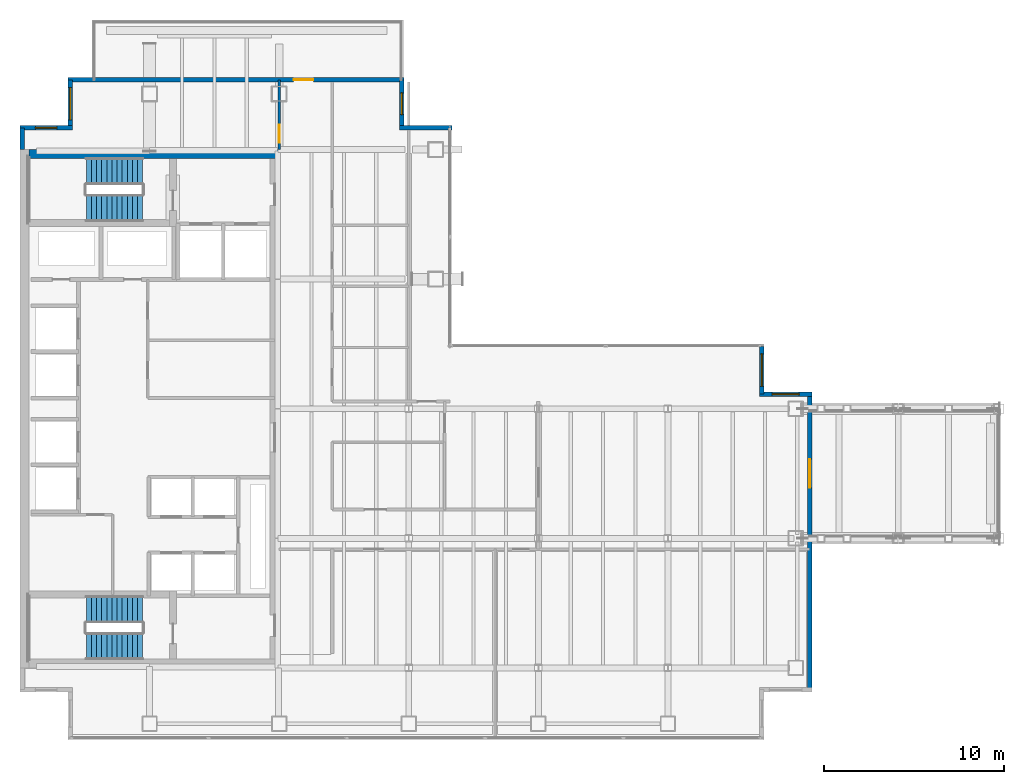
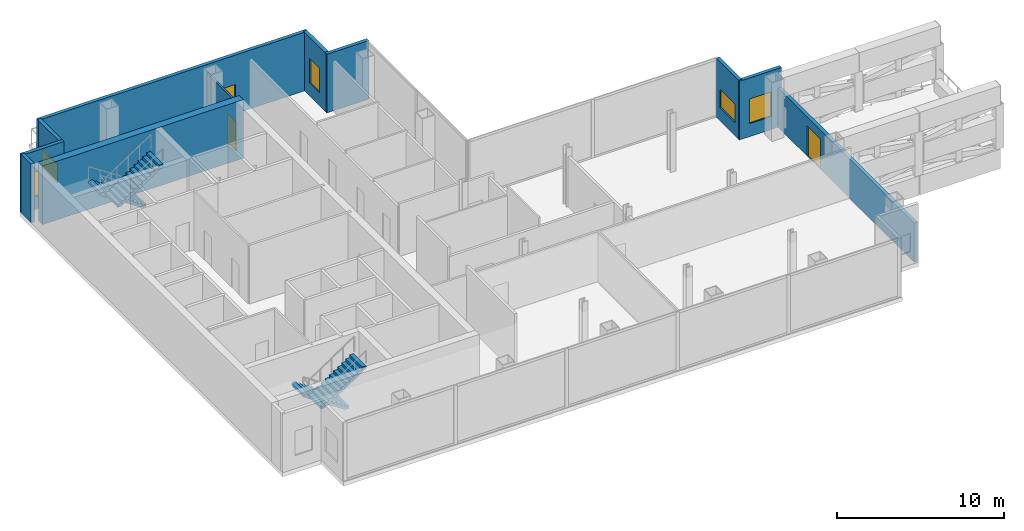
# One storey, part 18 of 20: 11 walls, 5 windows, 4 stair flights, 3 doors, 8 openings, 2 elements without a shape of their own.
"""IFC4 building model written with IfcOpenShell, lengths in metres."""

from ifc_helpers import new_model, si_unit, direction, frame, frame_2d, origin, place, context, subcontext, project, spatial, polyline, rectangle, outline, extrude, material, layer, layer_set, type_object, element, fill, aggregate, save


model = new_model("IFC4")

# Units and contexts
model_context = context("Model", 3, precision=1e-05, world=origin(), true_north=direction((0.0, 1.0)))
body_context = subcontext(model_context, "Body", "Model", "MODEL_VIEW")
ifc_project = project(units=[si_unit("LENGTHUNIT", "METRE"), si_unit("AREAUNIT", "SQUARE_METRE"), si_unit("VOLUMEUNIT", "CUBIC_METRE"), si_unit("PLANEANGLEUNIT", "RADIAN"), si_unit("MASSUNIT", "GRAM", prefix="KILO")], contexts=[model_context])

# Site, building, storey
site_placement = place(None, origin())
site = spatial("IfcSite", under=ifc_project, at=site_placement, CompositionType="ELEMENT")
building_placement = place(site_placement, origin())
building = spatial("IfcBuilding", under=site, at=building_placement, Name="Cobrela Telecom Tower", CompositionType="ELEMENT")
storey_placement = place(building_placement, frame((0.0, 0.0, 168.699951171875)))
storey = spatial("IfcBuildingStorey", under=building, at=storey_placement, Name="L42", CompositionType="ELEMENT", Elevation=168.699951171875)

# Walls
ifc_material_1 = material(Name="Concrete C40/50", Category="concrete")
ifc_layer_1 = layer(ifc_material_1, 0.5)
ifc_layer_set_1 = layer_set([ifc_layer_1], Name="Concrete C40/50")
wall_type_1 = type_object("IfcWallType", Name="WALL-CORE-C40-500", PredefinedType="SHEAR", material=ifc_layer_set_1)
wall_1_placement = place(storey_placement, frame((0.5, 35.75, 0.0), z_axis=(0.0, 0.0, 1.0), x_axis=(1.0, 0.0, 0.0)))
element("IfcWall", 1, at=wall_1_placement, inside=storey, type_object=wall_type_1, Name="L42 North Core Shear Wall", PredefinedType="SHEAR", context=body_context, shape_type="SweptSolid", body=[
    extrude(rectangle(XDim=13.89990234375, YDim=0.5, at=frame_2d((6.949951171875, 0.0))), origin(), (0.0, 0.0, 1.0), 4.2900390625),
])
ifc_layer_2 = layer(ifc_material_1, 0.239990234375)
ifc_layer_set_2 = layer_set([ifc_layer_2], Name="Concrete C40/50")
wall_type_2 = type_object("IfcWallType", Name="WALL-EXT-300", PredefinedType="STANDARD", material=ifc_layer_set_2)
wall_2_placement = place(storey_placement, frame((0.1201171875, 36.0, 0.0), z_axis=(0.0, 0.0, 1.0), x_axis=(0.0, 1.0, 0.0)))
element("IfcWall", 2, at=wall_2_placement, inside=storey, type_object=wall_type_2, Name="L42 Insulated Facade Wall 04", PredefinedType="STANDARD", context=body_context, shape_type="SweptSolid", body=[
    extrude(rectangle(XDim=1.2099609375, YDim=0.239990234375, at=frame_2d((0.60498046875, 0.0))), origin(), (0.0, 0.0, 1.0), 4.2900390625),
])

# Wall, opening, window
wall_3_placement = place(storey_placement, frame((0.0, 37.2099609375, 0.0), z_axis=(0.0, 0.0, 1.0), x_axis=(1.0, 0.0, 0.0)))
wall_3 = element("IfcWall", 3, at=wall_3_placement, inside=storey, type_object=wall_type_2, Name="L42 Insulated Facade Wall 05", PredefinedType="STANDARD", context=body_context, shape_type="SweptSolid", body=[
    extrude(rectangle(XDim=2.909912109375, YDim=0.239990234375, at=frame_2d((1.455078125, 0.0))), origin(), (0.0, 0.0, 1.0), 4.2900390625),
])
opening_1_placement = place(wall_3_placement, frame((0.85498046875, 0.0, 0.949951171875)))
opening_1 = element("IfcOpeningElement", 4, at=opening_1_placement, cuts=wall_3, Name="Opening WN-19", PredefinedType="OPENING", context=body_context, shape_type="SweptSolid", body=[
    extrude(rectangle(XDim=1.199951171875, YDim=1.800048828125, at=frame_2d((0.60009765625, 0.89990234375))), frame((0.0, 0.1318359375, 0.0), z_axis=(0.0, -1.0, 0.0), x_axis=(1.0, 0.0, 0.0)), (0.0, 0.0, 1.0), 0.263916015625),
])
ifc_material_2 = material(Name="Solar-Control Bronze Low-E Glass", Category="glass")
window_type_1 = type_object("IfcWindowType", Name="WIN-MOD-1200", PartitioningType="SINGLE_PANEL", PredefinedType="WINDOW", material=ifc_material_2)
window_1_placement = place(opening_1_placement, origin())
window_1 = element("IfcWindow", 5, at=window_1_placement, inside=storey, type_object=window_type_1, Name="L42 Corner Notch Facade Window 202", OverallHeight=1.800048828125, OverallWidth=1.199951171875, PartitioningType="SINGLE_PANEL", PredefinedType="WINDOW", context=body_context, shape_type="SweptSolid", body=[
    extrude(rectangle(XDim=1.199951171875, YDim=1.800048828125, at=frame_2d((0.60009765625, 0.89990234375))), frame((0.0, 0.030029296875, 0.0), z_axis=(0.0, -1.0, 0.0), x_axis=(1.0, 0.0, 0.0)), (0.0, 0.0, 1.0), 0.06005859375),
])
fill(opening_1, window_1)

wall_4_placement = place(storey_placement, frame((2.7900390625, 37.2099609375, 0.0), z_axis=(0.0, 0.0, 1.0), x_axis=(0.0, 1.0, 0.0)))
wall_4 = element("IfcWall", 6, at=wall_4_placement, inside=storey, type_object=wall_type_2, Name="L42 Insulated Facade Wall 06", PredefinedType="STANDARD", context=body_context, shape_type="SweptSolid", body=[
    extrude(rectangle(XDim=2.669921875, YDim=0.239990234375, at=frame_2d((1.3349609375, 0.0))), origin(), (0.0, 0.0, 1.0), 4.2900390625),
])
opening_2_placement = place(wall_4_placement, frame((0.43505859375, 0.0, 0.949951171875)))
opening_2 = element("IfcOpeningElement", 7, at=opening_2_placement, cuts=wall_4, Name="Opening WN-27", PredefinedType="OPENING", context=body_context, shape_type="SweptSolid", body=[
    extrude(rectangle(XDim=1.800048828125, YDim=1.35009765625, at=frame_2d((0.89990234375, 0.675048828125))), frame((0.0, 0.1318359375, 0.0), z_axis=(0.0, -1.0, 0.0), x_axis=(1.0, 0.0, 0.0)), (0.0, 0.0, 1.0), 0.263916015625),
])
window_type_2 = type_object("IfcWindowType", Name="WIN-CLER-1800", PartitioningType="SINGLE_PANEL", PredefinedType="WINDOW", material=ifc_material_2)
window_2_placement = place(opening_2_placement, origin())
window_2 = element("IfcWindow", 8, at=window_2_placement, inside=storey, type_object=window_type_2, Name="L42 Corner Notch Facade Window 203", OverallHeight=1.35009765625, OverallWidth=1.800048828125, PartitioningType="SINGLE_PANEL", PredefinedType="WINDOW", context=body_context, shape_type="SweptSolid", body=[
    extrude(rectangle(XDim=1.800048828125, YDim=1.35009765625, at=frame_2d((0.89990234375, 0.675048828125))), frame((0.0, 0.030029296875, 0.0), z_axis=(0.0, -1.0, 0.0), x_axis=(1.0, 0.0, 0.0)), (0.0, 0.0, 1.0), 0.06005859375),
])
fill(opening_2, window_2)

# Wall, opening, door
wall_5_placement = place(storey_placement, frame((2.669921875, 39.8798828125, 0.0), z_axis=(0.0, 0.0, 1.0), x_axis=(1.0, 0.0, 0.0)))
wall_5 = element("IfcWall", 9, at=wall_5_placement, inside=storey, type_object=wall_type_2, Name="L42 Insulated Facade Wall 07", PredefinedType="STANDARD", context=body_context, shape_type="SweptSolid", body=[
    extrude(rectangle(XDim=18.66015625, YDim=0.239990234375, at=frame_2d((9.330078125, 0.0))), origin(), (0.0, 0.0, 1.0), 4.2900390625),
])
opening_3_placement = place(wall_5_placement, frame((12.530029296875, 0.0, 0.0)))
opening_3 = element("IfcOpeningElement", 10, at=opening_3_placement, cuts=wall_5, Name="Opening ED-3", PredefinedType="OPENING", context=body_context, shape_type="SweptSolid", body=[
    extrude(rectangle(XDim=1.10009765625, YDim=2.14990234375, at=frame_2d((0.550048828125, 1.074951171875))), frame((0.0, 0.1318359375, 0.0), z_axis=(0.0, -1.0, 0.0), x_axis=(1.0, 0.0, 0.0)), (0.0, 0.0, 1.0), 0.263916015625),
])
ifc_material_3 = material(Name="Anodized Bronze Aluminium 6063-T6", Category="aluminium")
door_type_1 = type_object("IfcDoorType", Name="DOOR-EXT-1100", OperationType="SINGLE_SWING_LEFT", PredefinedType="DOOR", material=ifc_material_3)
door_1_placement = place(opening_3_placement, origin())
door_1 = element("IfcDoor", 11, at=door_1_placement, inside=storey, type_object=door_type_1, Name="L42 Door ED-3", OperationType="SINGLE_SWING_RIGHT", OverallHeight=2.14990234375, OverallWidth=1.10009765625, PredefinedType="DOOR", context=body_context, shape_type="SweptSolid", body=[
    extrude(rectangle(XDim=1.10009765625, YDim=2.14990234375, at=frame_2d((0.550048828125, 1.074951171875))), frame((0.0, 0.02490234375, 0.0), z_axis=(0.0, -1.0, 0.0), x_axis=(1.0, 0.0, 0.0)), (0.0, 0.0, 1.0), 0.050048828125),
])
fill(opening_3, door_1)

# Wall, opening, window
wall_6_placement = place(storey_placement, frame((21.2099609375, 39.8798828125, 0.0), z_axis=(0.0, 0.0, 1.0), x_axis=(0.0, -1.0, 0.0)))
wall_6 = element("IfcWall", 12, at=wall_6_placement, inside=storey, type_object=wall_type_2, Name="L42 Insulated Facade Wall 08", PredefinedType="STANDARD", context=body_context, shape_type="SweptSolid", body=[
    extrude(rectangle(XDim=2.669921875, YDim=0.239990234375, at=frame_2d((1.3349609375, 0.0))), origin(), (0.0, 0.0, 1.0), 4.2900390625),
])
opening_4_placement = place(wall_6_placement, frame((0.735107421875, 0.0, 0.949951171875)))
opening_4 = element("IfcOpeningElement", 13, at=opening_4_placement, cuts=wall_6, Name="Opening WN-19", PredefinedType="OPENING", context=body_context, shape_type="SweptSolid", body=[
    extrude(rectangle(XDim=1.199951171875, YDim=1.800048828125, at=frame_2d((0.60009765625, 0.89990234375))), frame((0.0, 0.1318359375, 0.0), z_axis=(0.0, -1.0, 0.0), x_axis=(1.0, 0.0, 0.0)), (0.0, 0.0, 1.0), 0.263916015625),
])
window_3_placement = place(opening_4_placement, origin())
window_3 = element("IfcWindow", 14, at=window_3_placement, inside=storey, type_object=window_type_1, Name="L42 Corner Notch Facade Window 204", OverallHeight=1.800048828125, OverallWidth=1.199951171875, PartitioningType="SINGLE_PANEL", PredefinedType="WINDOW", context=body_context, shape_type="SweptSolid", body=[
    extrude(rectangle(XDim=1.199951171875, YDim=1.800048828125, at=frame_2d((0.60009765625, 0.89990234375))), frame((0.0, 0.030029296875, 0.0), z_axis=(0.0, -1.0, 0.0), x_axis=(1.0, 0.0, 0.0)), (0.0, 0.0, 1.0), 0.06005859375),
])
fill(opening_4, window_3)

# Wall
wall_7_placement = place(storey_placement, frame((21.090087890625, 37.2099609375, 0.0), z_axis=(0.0, 0.0, 1.0), x_axis=(1.0, 0.0, 0.0)))
element("IfcWall", 15, at=wall_7_placement, inside=storey, type_object=wall_type_2, Name="L42 Insulated Facade Wall 09", PredefinedType="STANDARD", context=body_context, shape_type="SweptSolid", body=[
    extrude(rectangle(XDim=2.909912109375, YDim=0.239990234375, at=frame_2d((1.455078125, 0.0))), origin(), (0.0, 0.0, 1.0), 4.2900390625),
])

# Wall, opening, window
wall_8_placement = place(storey_placement, frame((41.2099609375, 25.080078125, 0.0), z_axis=(0.0, 0.0, 1.0), x_axis=(0.0, -1.0, 0.0)))
wall_8 = element("IfcWall", 16, at=wall_8_placement, inside=storey, type_object=wall_type_2, Name="L42 Insulated Facade Wall 12", PredefinedType="STANDARD", context=body_context, shape_type="SweptSolid", body=[
    extrude(rectangle(XDim=2.670166015625, YDim=0.239990234375, at=frame_2d((1.3349609375, 0.0))), origin(), (0.0, 0.0, 1.0), 4.2900390625),
])
opening_5_placement = place(wall_8_placement, frame((0.43505859375, 0.0, 0.949951171875)))
opening_5 = element("IfcOpeningElement", 17, at=opening_5_placement, cuts=wall_8, Name="Opening WN-27", PredefinedType="OPENING", context=body_context, shape_type="SweptSolid", body=[
    extrude(rectangle(XDim=1.800048828125, YDim=1.35009765625, at=frame_2d((0.89990234375, 0.675048828125))), frame((0.0, 0.1318359375, 0.0), z_axis=(0.0, -1.0, 0.0), x_axis=(1.0, 0.0, 0.0)), (0.0, 0.0, 1.0), 0.263916015625),
])
window_4_placement = place(opening_5_placement, origin())
window_4 = element("IfcWindow", 18, at=window_4_placement, inside=storey, type_object=window_type_2, Name="L42 Corner Notch Facade Window 205", OverallHeight=1.35009765625, OverallWidth=1.800048828125, PartitioningType="SINGLE_PANEL", PredefinedType="WINDOW", context=body_context, shape_type="SweptSolid", body=[
    extrude(rectangle(XDim=1.800048828125, YDim=1.35009765625, at=frame_2d((0.89990234375, 0.675048828125))), frame((0.0, 0.030029296875, 0.0), z_axis=(0.0, -1.0, 0.0), x_axis=(1.0, 0.0, 0.0)), (0.0, 0.0, 1.0), 0.06005859375),
])
fill(opening_5, window_4)

wall_9_placement = place(storey_placement, frame((41.090087890625, 22.409912109375, 0.0), z_axis=(0.0, 0.0, 1.0), x_axis=(1.0, 0.0, 0.0)))
wall_9 = element("IfcWall", 19, at=wall_9_placement, inside=storey, type_object=wall_type_2, Name="L42 Insulated Facade Wall 13", PredefinedType="STANDARD", context=body_context, shape_type="SweptSolid", body=[
    extrude(rectangle(XDim=2.909912109375, YDim=0.239990234375, at=frame_2d((1.455078125, 0.0))), origin(), (0.0, 0.0, 1.0), 4.2900390625),
])
opening_6_placement = place(wall_9_placement, frame((0.705078125, 0.0, 0.949951171875)))
opening_6 = element("IfcOpeningElement", 20, at=opening_6_placement, cuts=wall_9, Name="Opening WN-45", PredefinedType="OPENING", context=body_context, shape_type="SweptSolid", body=[
    extrude(rectangle(XDim=1.5, YDim=1.800048828125, at=frame_2d((0.75, 0.89990234375))), frame((0.0, 0.1318359375, 0.0), z_axis=(0.0, -1.0, 0.0), x_axis=(1.0, 0.0, 0.0)), (0.0, 0.0, 1.0), 0.263916015625),
])
window_type_3 = type_object("IfcWindowType", Name="WIN-MOD-1500", PartitioningType="SINGLE_PANEL", PredefinedType="WINDOW", material=ifc_material_2)
window_5_placement = place(opening_6_placement, origin())
window_5 = element("IfcWindow", 21, at=window_5_placement, inside=storey, type_object=window_type_3, Name="L42 Corner Notch Facade Window 206", OverallHeight=1.800048828125, OverallWidth=1.5, PartitioningType="SINGLE_PANEL", PredefinedType="WINDOW", context=body_context, shape_type="SweptSolid", body=[
    extrude(rectangle(XDim=1.5, YDim=1.800048828125, at=frame_2d((0.75, 0.89990234375))), frame((0.0, 0.030029296875, 0.0), z_axis=(0.0, -1.0, 0.0), x_axis=(1.0, 0.0, 0.0)), (0.0, 0.0, 1.0), 0.06005859375),
])
fill(opening_6, window_5)

# Wall, opening, door
wall_10_placement = place(storey_placement, frame((43.8798828125, 22.409912109375, 0.0), z_axis=(0.0, 0.0, 1.0), x_axis=(0.0, -1.0, 0.0)))
wall_10 = element("IfcWall", 22, at=wall_10_placement, inside=storey, type_object=wall_type_2, Name="L42 Insulated Facade Wall 14", PredefinedType="STANDARD", context=body_context, shape_type="SweptSolid", body=[
    extrude(rectangle(XDim=16.419921875, YDim=0.239990234375, at=frame_2d((8.2099609375, 0.0))), origin(), (0.0, 0.0, 1.0), 2.875),
])
opening_7_placement = place(wall_10_placement, frame((3.610107421875, 0.0, 0.0)))
opening_7 = element("IfcOpeningElement", 23, at=opening_7_placement, cuts=wall_10, Name="Opening ED-2", PredefinedType="OPENING", context=body_context, shape_type="SweptSolid", body=[
    extrude(rectangle(XDim=1.60009765625, YDim=2.199951171875, at=frame_2d((0.800048828125, 1.10009765625))), frame((0.0, 0.1318359375, 0.0), z_axis=(0.0, -1.0, 0.0), x_axis=(1.0, 0.0, 0.0)), (0.0, 0.0, 1.0), 0.263916015625),
])
door_type_2 = type_object("IfcDoorType", Name="DOOR-EXT-TERR-1600", OperationType="SINGLE_SWING_LEFT", PredefinedType="DOOR", material=ifc_material_3)
door_2_placement = place(opening_7_placement, origin())
door_2 = element("IfcDoor", 24, at=door_2_placement, inside=storey, type_object=door_type_2, Name="L42 Door ED-2", OperationType="DOUBLE_DOOR_SINGLE_SWING", OverallHeight=2.199951171875, OverallWidth=1.60009765625, PredefinedType="DOOR", context=body_context, shape_type="SweptSolid", body=[
    extrude(rectangle(XDim=1.60009765625, YDim=2.199951171875, at=frame_2d((0.800048828125, 1.10009765625))), frame((0.0, 0.02490234375, 0.0), z_axis=(0.0, -1.0, 0.0), x_axis=(1.0, 0.0, 0.0)), (0.0, 0.0, 1.0), 0.050048828125),
])
fill(opening_7, door_2)

ifc_material_4 = material(Name="Fire-Rated Gypsum Plasterboard")
ifc_layer_3 = layer(ifc_material_4, 0.135009765625)
ifc_layer_set_3 = layer_set([ifc_layer_3], Name="Fire-Rated Gypsum Plasterboard")
wall_type_3 = type_object("IfcWallType", Name="WALL-PART-135", PredefinedType="PARTITIONING", material=ifc_layer_set_3)
wall_11_placement = place(storey_placement, frame((14.39990234375, 36.0, 0.0), z_axis=(0.0, 0.0, 1.0), x_axis=(0.0, 1.0, 0.0)))
wall_11 = element("IfcWall", 25, at=wall_11_placement, inside=storey, type_object=wall_type_3, Name="L42 Interior Partition W-SKY-NW", PredefinedType="PARTITIONING", context=body_context, shape_type="SweptSolid", body=[
    extrude(rectangle(XDim=3.8798828125, YDim=0.135009765625, at=frame_2d((1.93994140625, 0.0))), origin(), (0.0, 0.0, 1.0), 3.653076171875),
])
opening_8_placement = place(wall_11_placement, frame((0.3701171875, 0.0, 0.0)))
opening_8 = element("IfcOpeningElement", 26, at=opening_8_placement, cuts=wall_11, Name="Opening DR-31", PredefinedType="OPENING", context=body_context, shape_type="SweptSolid", body=[
    extrude(rectangle(XDim=1.0, YDim=2.14990234375, at=frame_2d((0.5, 1.074951171875))), frame((0.0, 0.07958984375, 0.0), z_axis=(0.0, -1.0, 0.0), x_axis=(1.0, 0.0, 0.0)), (0.0, 0.0, 1.0), 0.158935546875),
])
ifc_material_5 = material(Name="Solid Engineered Oak Timber", Category="wood")
door_type_3 = type_object("IfcDoorType", Name="DOOR-INT-1000", OperationType="SINGLE_SWING_LEFT", PredefinedType="DOOR", material=ifc_material_5)
door_3_placement = place(opening_8_placement, origin())
door_3 = element("IfcDoor", 27, at=door_3_placement, inside=storey, type_object=door_type_3, Name="L42 Door DR-31", OperationType="SINGLE_SWING_LEFT", OverallHeight=2.14990234375, OverallWidth=1.0, PredefinedType="DOOR", context=body_context, shape_type="SweptSolid", body=[
    extrude(rectangle(XDim=1.0, YDim=2.14990234375, at=frame_2d((0.5, 1.074951171875))), frame((0.0, 0.02490234375, 0.0), z_axis=(0.0, -1.0, 0.0), x_axis=(1.0, 0.0, 0.0)), (0.0, 0.0, 1.0), 0.050048828125),
])
fill(opening_8, door_3)

# Stair, stair flights
stair_type = type_object("IfcStairType", Name="STAIR-CORE", PredefinedType="HALF_TURN_STAIR", material=ifc_material_1)
stair_1_placement = place(storey_placement, origin())
stair_1 = element("IfcStair", 28, at=stair_1_placement, inside=storey, type_object=stair_type, Name="L42 Smokeproof Exit Stair ST1", PredefinedType="HALF_TURN_STAIR")
stair_flight_type = type_object("IfcStairFlightType", Name="FLIGHT-CORE", PredefinedType="STRAIGHT", material=ifc_material_1)
stair_flight_1_placement = place(storey_placement, frame((6.820068359375, 34.800048828125, 0.0), z_axis=(0.0, 0.0, 1.0), x_axis=(-1.0, 0.0, 0.0)))
stair_flight_1 = element("IfcStairFlight", 29, at=stair_flight_1_placement, type_object=stair_flight_type, Name="ST1 flight 1", NumberOfRisers=12, NumberOfTreads=11, PredefinedType="STRAIGHT", RiserHeight=0.189583333, TreadLength=0.285, context=body_context, shape_type="SweptSolid", body=[
    extrude(outline(polyline([(0.0, 0.0), (0.0, 0.189697265625), (0.284912109375, 0.189697265625), (0.284912109375, 0.379150390625), (0.570068359375, 0.379150390625), (0.570068359375, 0.56884765625), (0.85498046875, 0.56884765625), (0.85498046875, 0.75830078125), (1.139892578125, 0.75830078125), (1.139892578125, 0.947998046875), (1.425048828125, 0.947998046875), (1.425048828125, 1.137451171875), (1.7099609375, 1.137451171875), (1.7099609375, 1.3271484375), (1.9951171875, 1.3271484375), (1.9951171875, 1.5166015625), (2.280029296875, 1.5166015625), (2.280029296875, 1.706298828125), (2.56494140625, 1.706298828125), (2.56494140625, 1.895751953125), (2.85009765625, 1.895751953125), (2.85009765625, 2.08544921875), (3.135009765625, 2.08544921875), (3.135009765625, 2.27490234375), (3.135009765625, 1.9052734375), (0.270751953125, 0.0), (0.0, 0.0)])), frame((0.0, 0.75, 0.0), z_axis=(0.0, -1.0, 0.0), x_axis=(1.0, 0.0, 0.0)), (0.0, 0.0, 1.0), 1.5),
])
stair_flight_2_placement = place(storey_placement, frame((3.68505859375, 32.75, 2.275146484375), z_axis=(0.0, 0.0, 1.0), x_axis=(1.0, 0.0, 0.0)))
stair_flight_2 = element("IfcStairFlight", 30, at=stair_flight_2_placement, type_object=stair_flight_type, Name="ST1 flight 2", NumberOfRisers=12, NumberOfTreads=11, PredefinedType="STRAIGHT", RiserHeight=0.189583333, TreadLength=0.285, context=body_context, shape_type="SweptSolid", body=[
    extrude(outline(polyline([(0.0, 0.0), (0.0, 0.189697265625), (0.284912109375, 0.189697265625), (0.284912109375, 0.379150390625), (0.570068359375, 0.379150390625), (0.570068359375, 0.56884765625), (0.85498046875, 0.56884765625), (0.85498046875, 0.75830078125), (1.139892578125, 0.75830078125), (1.139892578125, 0.947998046875), (1.425048828125, 0.947998046875), (1.425048828125, 1.137451171875), (1.7099609375, 1.137451171875), (1.7099609375, 1.3271484375), (1.9951171875, 1.3271484375), (1.9951171875, 1.5166015625), (2.280029296875, 1.5166015625), (2.280029296875, 1.706298828125), (2.56494140625, 1.706298828125), (2.56494140625, 1.895751953125), (2.85009765625, 1.895751953125), (2.85009765625, 2.08544921875), (3.135009765625, 2.08544921875), (3.135009765625, 2.27490234375), (3.135009765625, 1.9052734375), (0.270751953125, 0.0), (0.0, 0.0)])), frame((0.0, 0.75, 0.0), z_axis=(0.0, -1.0, 0.0), x_axis=(1.0, 0.0, 0.0)), (0.0, 0.0, 1.0), 1.5),
])
aggregate(stair_1, [stair_flight_1, stair_flight_2])

stair_2_placement = place(storey_placement, origin())
stair_2 = element("IfcStair", 31, at=stair_2_placement, inside=storey, type_object=stair_type, Name="L42 Smokeproof Exit Stair ST2", PredefinedType="HALF_TURN_STAIR")
stair_flight_3_placement = place(storey_placement, frame((6.820068359375, 10.449951171875, 0.0), z_axis=(0.0, 0.0, 1.0), x_axis=(-1.0, 0.0, 0.0)))
stair_flight_3 = element("IfcStairFlight", 32, at=stair_flight_3_placement, type_object=stair_flight_type, Name="ST2 flight 1", NumberOfRisers=12, NumberOfTreads=11, PredefinedType="STRAIGHT", RiserHeight=0.189583333, TreadLength=0.285, context=body_context, shape_type="SweptSolid", body=[
    extrude(outline(polyline([(0.0, 0.0), (0.0, 0.189697265625), (0.284912109375, 0.189697265625), (0.284912109375, 0.379150390625), (0.570068359375, 0.379150390625), (0.570068359375, 0.56884765625), (0.85498046875, 0.56884765625), (0.85498046875, 0.75830078125), (1.139892578125, 0.75830078125), (1.139892578125, 0.947998046875), (1.425048828125, 0.947998046875), (1.425048828125, 1.137451171875), (1.7099609375, 1.137451171875), (1.7099609375, 1.3271484375), (1.9951171875, 1.3271484375), (1.9951171875, 1.5166015625), (2.280029296875, 1.5166015625), (2.280029296875, 1.706298828125), (2.56494140625, 1.706298828125), (2.56494140625, 1.895751953125), (2.85009765625, 1.895751953125), (2.85009765625, 2.08544921875), (3.135009765625, 2.08544921875), (3.135009765625, 2.27490234375), (3.135009765625, 1.9052734375), (0.270751953125, 0.0), (0.0, 0.0)])), frame((0.0, 0.75, 0.0), z_axis=(0.0, -1.0, 0.0), x_axis=(1.0, 0.0, 0.0)), (0.0, 0.0, 1.0), 1.5),
])
stair_flight_4_placement = place(storey_placement, frame((3.68505859375, 8.39990234375, 2.275146484375), z_axis=(0.0, 0.0, 1.0), x_axis=(1.0, 0.0, 0.0)))
stair_flight_4 = element("IfcStairFlight", 33, at=stair_flight_4_placement, type_object=stair_flight_type, Name="ST2 flight 2", NumberOfRisers=12, NumberOfTreads=11, PredefinedType="STRAIGHT", RiserHeight=0.189583333, TreadLength=0.285, context=body_context, shape_type="SweptSolid", body=[
    extrude(outline(polyline([(0.0, 0.0), (0.0, 0.189697265625), (0.284912109375, 0.189697265625), (0.284912109375, 0.379150390625), (0.570068359375, 0.379150390625), (0.570068359375, 0.56884765625), (0.85498046875, 0.56884765625), (0.85498046875, 0.75830078125), (1.139892578125, 0.75830078125), (1.139892578125, 0.947998046875), (1.425048828125, 0.947998046875), (1.425048828125, 1.137451171875), (1.7099609375, 1.137451171875), (1.7099609375, 1.3271484375), (1.9951171875, 1.3271484375), (1.9951171875, 1.5166015625), (2.280029296875, 1.5166015625), (2.280029296875, 1.706298828125), (2.56494140625, 1.706298828125), (2.56494140625, 1.895751953125), (2.85009765625, 1.895751953125), (2.85009765625, 2.08544921875), (3.135009765625, 2.08544921875), (3.135009765625, 2.27490234375), (3.135009765625, 1.9052734375), (0.270751953125, 0.0), (0.0, 0.0)])), frame((0.0, 0.75, 0.0), z_axis=(0.0, -1.0, 0.0), x_axis=(1.0, 0.0, 0.0)), (0.0, 0.0, 1.0), 1.5),
])
aggregate(stair_2, [stair_flight_3, stair_flight_4])

save(model, "model.ifc")
